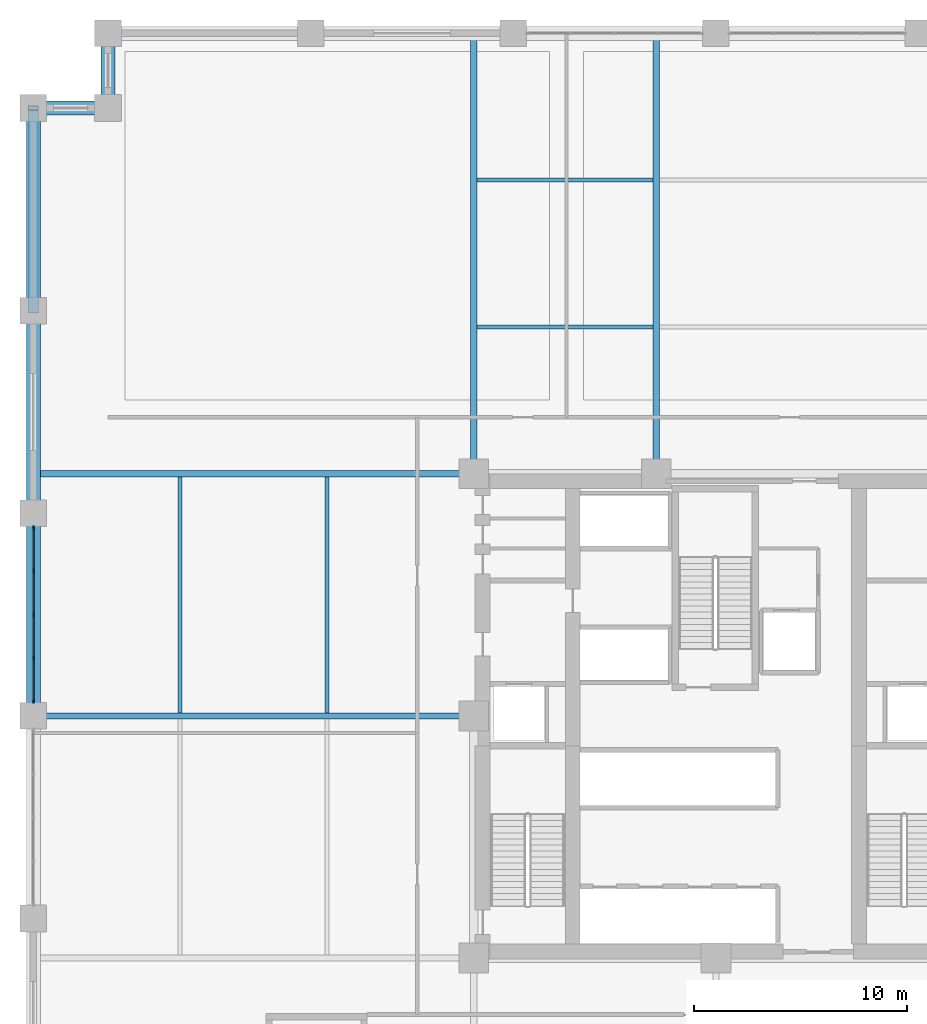
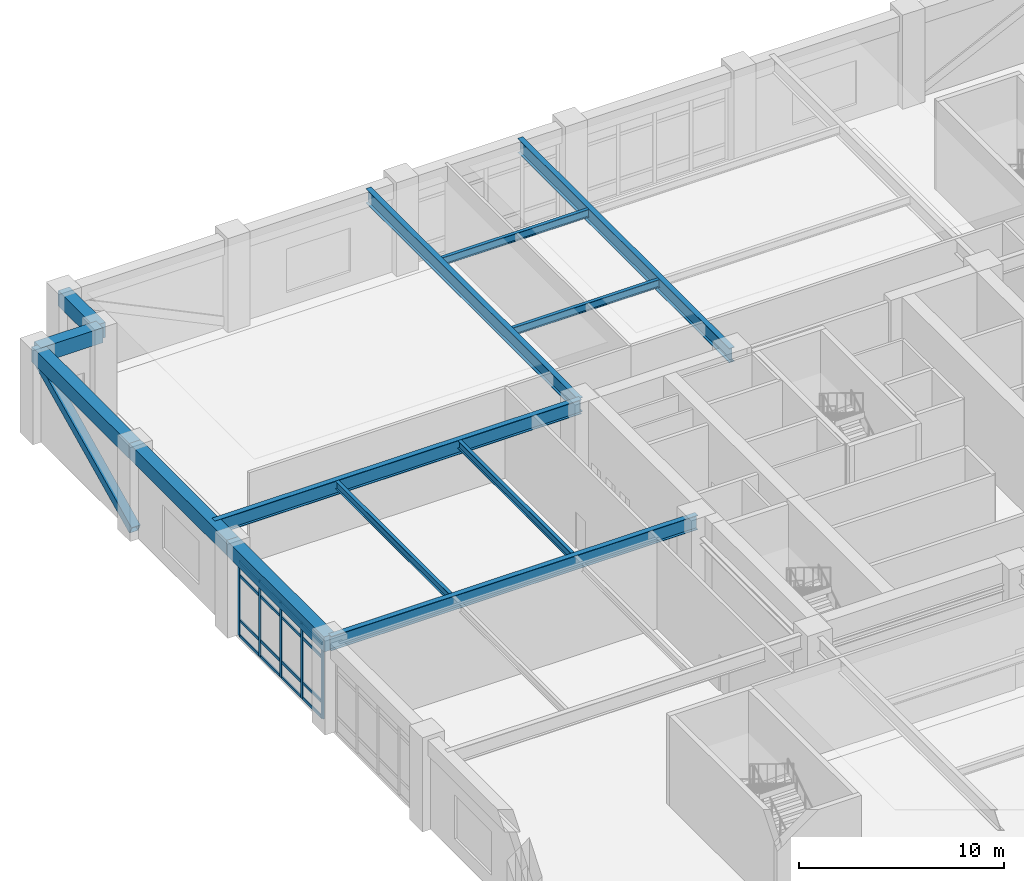
# One storey, part 6 of 21: 22 members, 13 beams, 1 element without a shape of its own.
"""IFC4 building model written with IfcOpenShell, lengths in metres."""

from ifc_helpers import new_model, si_unit, direction, frame, origin, origin_2d, place, context, subcontext, project, spatial, rectangle, hollow_rectangle, i_section, extrude, material, layer, layer_set, material_profile, profile_set, type_object, element, aggregate, save


model = new_model("IFC4")

# Units and contexts
model_context = context("Model", 3, precision=1e-05, world=origin(), true_north=direction((0.0, 1.0)))
body_context = subcontext(model_context, "Body", "Model", "MODEL_VIEW")
ifc_project = project(units=[si_unit("LENGTHUNIT", "METRE"), si_unit("AREAUNIT", "SQUARE_METRE"), si_unit("VOLUMEUNIT", "CUBIC_METRE"), si_unit("PLANEANGLEUNIT", "RADIAN"), si_unit("MASSUNIT", "GRAM", prefix="KILO")], contexts=[model_context])

# Site, building, storey
site_placement = place(None, origin())
site = spatial("IfcSite", under=ifc_project, at=site_placement, CompositionType="ELEMENT")
building_placement = place(site_placement, origin())
building = spatial("IfcBuilding", under=site, at=building_placement, Name="Nhamokura Convention Tower", CompositionType="ELEMENT")
storey_placement = place(building_placement, frame((0.0, 0.0, 12.25)))
storey = spatial("IfcBuildingStorey", under=building, at=storey_placement, Name="L02", CompositionType="ELEMENT", Elevation=12.25)

# Curtain wall, members
ifc_material_1 = material(Name="Anodised bronze aluminium AA6063-T6", Category="aluminium")
ifc_layer = layer(ifc_material_1, 0.199951171875)
ifc_layer_set = layer_set([ifc_layer], Name="CWSystem_ConventionFoyer")
curtain_wall_type = type_object("IfcCurtainWallType", Name="CWSystem_ConventionFoyer", PredefinedType="NOTDEFINED", material=ifc_layer_set)
curtain_wall_placement = place(storey_placement, origin())
curtain_wall = element("IfcCurtainWall", 1, at=curtain_wall_placement, inside=storey, type_object=curtain_wall_type, Name="L02 Curtain Wall ENV-L02-CW-W3", PredefinedType="NOTDEFINED")
ifc_material_2 = material(Name="Anodised bronze aluminium AA6063-T6", Category="aluminium")
ifc_material_profile_1 = material_profile(ifc_material_2, rectangle(XDim=0.074951171875, YDim=0.199951171875, at=origin_2d()))
ifc_profile_set_1 = profile_set([ifc_material_profile_1], Name="Anodised bronze aluminium AA6063-T6")
member_type_1 = type_object("IfcMemberType", Name="CWMullion_2", PredefinedType="MULLION", material=ifc_profile_set_1)
member_1_placement = place(storey_placement, frame((0.0, 32.6875, 0.0), z_axis=(0.0, 0.0, 1.0), x_axis=(-1.0, 0.0, 0.0)))
member_1 = element("IfcMember", 2, at=member_1_placement, type_object=member_type_1, Name="CW-02 mullion 1", PredefinedType="MULLION", context=body_context, shape_type="SweptSolid", body=[
    extrude(rectangle(XDim=0.074951171875, YDim=0.199951171875, at=origin_2d()), origin(), (0.0, 0.0, 1.0), 4.4599609375),
])
member_2_placement = place(storey_placement, frame((0.0, 34.699951171875, 0.0), z_axis=(0.0, 0.0, 1.0), x_axis=(-1.0, 0.0, 0.0)))
member_2 = element("IfcMember", 3, at=member_2_placement, type_object=member_type_1, Name="CW-02 mullion 2", PredefinedType="MULLION", context=body_context, shape_type="SweptSolid", body=[
    extrude(rectangle(XDim=0.074951171875, YDim=0.199951171875, at=origin_2d()), origin(), (0.0, 0.0, 1.0), 4.4599609375),
])
member_3_placement = place(storey_placement, frame((0.0, 36.75, 0.0), z_axis=(0.0, 0.0, 1.0), x_axis=(-1.0, 0.0, 0.0)))
member_3 = element("IfcMember", 4, at=member_3_placement, type_object=member_type_1, Name="CW-02 mullion 3", PredefinedType="MULLION", context=body_context, shape_type="SweptSolid", body=[
    extrude(rectangle(XDim=0.074951171875, YDim=0.199951171875, at=origin_2d()), origin(), (0.0, 0.0, 1.0), 4.4599609375),
])
member_4_placement = place(storey_placement, frame((0.0, 38.800048828125, 0.0), z_axis=(0.0, 0.0, 1.0), x_axis=(-1.0, 0.0, 0.0)))
member_4 = element("IfcMember", 5, at=member_4_placement, type_object=member_type_1, Name="CW-02 mullion 4", PredefinedType="MULLION", context=body_context, shape_type="SweptSolid", body=[
    extrude(rectangle(XDim=0.074951171875, YDim=0.199951171875, at=origin_2d()), origin(), (0.0, 0.0, 1.0), 4.4599609375),
])
member_5_placement = place(storey_placement, frame((0.0, 40.8125, 0.0), z_axis=(0.0, 0.0, 1.0), x_axis=(-1.0, 0.0, 0.0)))
member_5 = element("IfcMember", 6, at=member_5_placement, type_object=member_type_1, Name="CW-02 mullion 5", PredefinedType="MULLION", context=body_context, shape_type="SweptSolid", body=[
    extrude(rectangle(XDim=0.074951171875, YDim=0.199951171875, at=origin_2d()), origin(), (0.0, 0.0, 1.0), 4.4599609375),
])
ifc_material_3 = material(Name="Anodised bronze aluminium AA6063-T6", Category="aluminium")
ifc_material_profile_2 = material_profile(ifc_material_3, rectangle(XDim=0.074951171875, YDim=0.169921875, at=origin_2d()))
ifc_profile_set_2 = profile_set([ifc_material_profile_2], Name="Anodised bronze aluminium AA6063-T6")
member_type_2 = type_object("IfcMemberType", Name="CWTransom_2", PredefinedType="USERDEFINED", material=ifc_profile_set_2)
member_6_placement = place(storey_placement, frame((0.0, 32.72509765625, 0.03759765625), z_axis=(0.0, 1.0, 0.0), x_axis=(-1.0, 0.0, 0.0)))
member_6 = element("IfcMember", 7, at=member_6_placement, type_object=member_type_2, Name="CW-02 transom 1.1", ObjectType="TRANSOM", PredefinedType="USERDEFINED", context=body_context, shape_type="SweptSolid", body=[
    extrude(rectangle(XDim=0.074951171875, YDim=0.169921875, at=origin_2d()), origin(), (0.0, 0.0, 1.0), 1.9375),
])
member_7_placement = place(storey_placement, frame((0.0, 32.72509765625, 0.949951171875), z_axis=(0.0, 1.0, 0.0), x_axis=(-1.0, 0.0, 0.0)))
member_7 = element("IfcMember", 8, at=member_7_placement, type_object=member_type_2, Name="CW-02 transom 1.2", ObjectType="TRANSOM", PredefinedType="USERDEFINED", context=body_context, shape_type="SweptSolid", body=[
    extrude(rectangle(XDim=0.074951171875, YDim=0.169921875, at=origin_2d()), origin(), (0.0, 0.0, 1.0), 1.9375),
])
member_8_placement = place(storey_placement, frame((0.0, 32.72509765625, 3.610107421875), z_axis=(0.0, 1.0, 0.0), x_axis=(-1.0, 0.0, 0.0)))
member_8 = element("IfcMember", 9, at=member_8_placement, type_object=member_type_2, Name="CW-02 transom 1.3", ObjectType="TRANSOM", PredefinedType="USERDEFINED", context=body_context, shape_type="SweptSolid", body=[
    extrude(rectangle(XDim=0.074951171875, YDim=0.169921875, at=origin_2d()), origin(), (0.0, 0.0, 1.0), 1.9375),
])
member_9_placement = place(storey_placement, frame((0.0, 32.72509765625, 4.422607421875), z_axis=(0.0, 1.0, 0.0), x_axis=(-1.0, 0.0, 0.0)))
member_9 = element("IfcMember", 10, at=member_9_placement, type_object=member_type_2, Name="CW-02 transom 1.4", ObjectType="TRANSOM", PredefinedType="USERDEFINED", context=body_context, shape_type="SweptSolid", body=[
    extrude(rectangle(XDim=0.074951171875, YDim=0.169921875, at=origin_2d()), origin(), (0.0, 0.0, 1.0), 1.9375),
])
member_10_placement = place(storey_placement, frame((0.0, 34.737548828125, 0.03759765625), z_axis=(0.0, 1.0, 0.0), x_axis=(-1.0, 0.0, 0.0)))
member_10 = element("IfcMember", 11, at=member_10_placement, type_object=member_type_2, Name="CW-02 transom 2.1", ObjectType="TRANSOM", PredefinedType="USERDEFINED", context=body_context, shape_type="SweptSolid", body=[
    extrude(rectangle(XDim=0.074951171875, YDim=0.169921875, at=origin_2d()), origin(), (0.0, 0.0, 1.0), 1.974853515625),
])
member_11_placement = place(storey_placement, frame((0.0, 34.737548828125, 0.949951171875), z_axis=(0.0, 1.0, 0.0), x_axis=(-1.0, 0.0, 0.0)))
member_11 = element("IfcMember", 12, at=member_11_placement, type_object=member_type_2, Name="CW-02 transom 2.2", ObjectType="TRANSOM", PredefinedType="USERDEFINED", context=body_context, shape_type="SweptSolid", body=[
    extrude(rectangle(XDim=0.074951171875, YDim=0.169921875, at=origin_2d()), origin(), (0.0, 0.0, 1.0), 1.974853515625),
])
member_12_placement = place(storey_placement, frame((0.0, 34.737548828125, 3.610107421875), z_axis=(0.0, 1.0, 0.0), x_axis=(-1.0, 0.0, 0.0)))
member_12 = element("IfcMember", 13, at=member_12_placement, type_object=member_type_2, Name="CW-02 transom 2.3", ObjectType="TRANSOM", PredefinedType="USERDEFINED", context=body_context, shape_type="SweptSolid", body=[
    extrude(rectangle(XDim=0.074951171875, YDim=0.169921875, at=origin_2d()), origin(), (0.0, 0.0, 1.0), 1.974853515625),
])
member_13_placement = place(storey_placement, frame((0.0, 34.737548828125, 4.422607421875), z_axis=(0.0, 1.0, 0.0), x_axis=(-1.0, 0.0, 0.0)))
member_13 = element("IfcMember", 14, at=member_13_placement, type_object=member_type_2, Name="CW-02 transom 2.4", ObjectType="TRANSOM", PredefinedType="USERDEFINED", context=body_context, shape_type="SweptSolid", body=[
    extrude(rectangle(XDim=0.074951171875, YDim=0.169921875, at=origin_2d()), origin(), (0.0, 0.0, 1.0), 1.974853515625),
])
member_14_placement = place(storey_placement, frame((0.0, 36.78759765625, 0.03759765625), z_axis=(0.0, 1.0, 0.0), x_axis=(-1.0, 0.0, 0.0)))
member_14 = element("IfcMember", 15, at=member_14_placement, type_object=member_type_2, Name="CW-02 transom 3.1", ObjectType="TRANSOM", PredefinedType="USERDEFINED", context=body_context, shape_type="SweptSolid", body=[
    extrude(rectangle(XDim=0.074951171875, YDim=0.169921875, at=origin_2d()), origin(), (0.0, 0.0, 1.0), 1.974853515625),
])
member_15_placement = place(storey_placement, frame((0.0, 36.78759765625, 0.949951171875), z_axis=(0.0, 1.0, 0.0), x_axis=(-1.0, 0.0, 0.0)))
member_15 = element("IfcMember", 16, at=member_15_placement, type_object=member_type_2, Name="CW-02 transom 3.2", ObjectType="TRANSOM", PredefinedType="USERDEFINED", context=body_context, shape_type="SweptSolid", body=[
    extrude(rectangle(XDim=0.074951171875, YDim=0.169921875, at=origin_2d()), origin(), (0.0, 0.0, 1.0), 1.974853515625),
])
member_16_placement = place(storey_placement, frame((0.0, 36.78759765625, 3.610107421875), z_axis=(0.0, 1.0, 0.0), x_axis=(-1.0, 0.0, 0.0)))
member_16 = element("IfcMember", 17, at=member_16_placement, type_object=member_type_2, Name="CW-02 transom 3.3", ObjectType="TRANSOM", PredefinedType="USERDEFINED", context=body_context, shape_type="SweptSolid", body=[
    extrude(rectangle(XDim=0.074951171875, YDim=0.169921875, at=origin_2d()), origin(), (0.0, 0.0, 1.0), 1.974853515625),
])
member_17_placement = place(storey_placement, frame((0.0, 36.78759765625, 4.422607421875), z_axis=(0.0, 1.0, 0.0), x_axis=(-1.0, 0.0, 0.0)))
member_17 = element("IfcMember", 18, at=member_17_placement, type_object=member_type_2, Name="CW-02 transom 3.4", ObjectType="TRANSOM", PredefinedType="USERDEFINED", context=body_context, shape_type="SweptSolid", body=[
    extrude(rectangle(XDim=0.074951171875, YDim=0.169921875, at=origin_2d()), origin(), (0.0, 0.0, 1.0), 1.974853515625),
])
member_18_placement = place(storey_placement, frame((0.0, 38.83740234375, 0.03759765625), z_axis=(0.0, 1.0, 0.0), x_axis=(-1.0, 0.0, 0.0)))
member_18 = element("IfcMember", 19, at=member_18_placement, type_object=member_type_2, Name="CW-02 transom 4.1", ObjectType="TRANSOM", PredefinedType="USERDEFINED", context=body_context, shape_type="SweptSolid", body=[
    extrude(rectangle(XDim=0.074951171875, YDim=0.169921875, at=origin_2d()), origin(), (0.0, 0.0, 1.0), 1.9375),
])
member_19_placement = place(storey_placement, frame((0.0, 38.83740234375, 0.949951171875), z_axis=(0.0, 1.0, 0.0), x_axis=(-1.0, 0.0, 0.0)))
member_19 = element("IfcMember", 20, at=member_19_placement, type_object=member_type_2, Name="CW-02 transom 4.2", ObjectType="TRANSOM", PredefinedType="USERDEFINED", context=body_context, shape_type="SweptSolid", body=[
    extrude(rectangle(XDim=0.074951171875, YDim=0.169921875, at=origin_2d()), origin(), (0.0, 0.0, 1.0), 1.9375),
])
member_20_placement = place(storey_placement, frame((0.0, 38.83740234375, 3.610107421875), z_axis=(0.0, 1.0, 0.0), x_axis=(-1.0, 0.0, 0.0)))
member_20 = element("IfcMember", 21, at=member_20_placement, type_object=member_type_2, Name="CW-02 transom 4.3", ObjectType="TRANSOM", PredefinedType="USERDEFINED", context=body_context, shape_type="SweptSolid", body=[
    extrude(rectangle(XDim=0.074951171875, YDim=0.169921875, at=origin_2d()), origin(), (0.0, 0.0, 1.0), 1.9375),
])
member_21_placement = place(storey_placement, frame((0.0, 38.83740234375, 4.422607421875), z_axis=(0.0, 1.0, 0.0), x_axis=(-1.0, 0.0, 0.0)))
member_21 = element("IfcMember", 22, at=member_21_placement, type_object=member_type_2, Name="CW-02 transom 4.4", ObjectType="TRANSOM", PredefinedType="USERDEFINED", context=body_context, shape_type="SweptSolid", body=[
    extrude(rectangle(XDim=0.074951171875, YDim=0.169921875, at=origin_2d()), origin(), (0.0, 0.0, 1.0), 1.9375),
])
aggregate(curtain_wall, [member_1, member_2, member_3, member_4, member_5, member_6, member_7, member_8, member_9, member_10, member_11, member_12, member_13, member_14, member_15, member_16, member_17, member_18, member_19, member_20, member_21])

# Beams
ifc_material_4 = material(Name="Steel ASTM A992 Gr 50", Category="steel")
ifc_material_profile_3 = material_profile(ifc_material_4, i_section(OverallWidth=0.19189453125, OverallDepth=0.462890625, WebThickness=0.010498046875, FlangeThickness=0.017578125, at=origin_2d()))
ifc_profile_set_3 = profile_set([ifc_material_profile_3], Name="Steel ASTM A992 Gr 50")
beam_type_1 = type_object("IfcBeamType", Name="FloorJoist_W460X89", PredefinedType="JOIST", material=ifc_profile_set_3)
for number, where, z_axis, x_axis, name in (
    (23, (20.794921875, 50.2333984375, 5.12841796875), (1.0, 0.0, 0.0), (0.0, 1.0, 0.0), "L02 Composite Floor Joist N1A"),
    (24, (20.794921875, 57.11669921875, 5.12841796875), (1.0, 0.0, 0.0), (0.0, 1.0, 0.0), "L02 Composite Floor Joist N2A"),
):
    element("IfcBeam", number, at=place(storey_placement, frame(where, z_axis=z_axis, x_axis=x_axis)), inside=storey, type_object=beam_type_1, Name=name, PredefinedType="JOIST", context=body_context, shape_type="SweptSolid", body=[
        extrude(i_section(OverallWidth=0.19189453125, OverallDepth=0.462890625, WebThickness=0.010498046875, FlangeThickness=0.017578125, at=origin_2d()), origin(), (0.0, 0.0, 1.0), 8.260009765625),
    ])
for number, where, z_axis, x_axis, name in (
    (25, (6.88330078125, 32.14501953125, 5.12841796875), (0.0, 1.0, 0.0), (-1.0, 0.0, 0.0), "L02 Composite Floor Joist W1B"),
    (26, (13.7666015625, 32.14501953125, 5.12841796875), (0.0, 1.0, 0.0), (-1.0, 0.0, 0.0), "L02 Composite Floor Joist W2B"),
):
    element("IfcBeam", number, at=place(storey_placement, frame(where, z_axis=z_axis, x_axis=x_axis)), inside=storey, type_object=beam_type_1, Name=name, PredefinedType="JOIST", context=body_context, shape_type="SweptSolid", body=[
        extrude(i_section(OverallWidth=0.19189453125, OverallDepth=0.462890625, WebThickness=0.010498046875, FlangeThickness=0.017578125, at=origin_2d()), origin(), (0.0, 0.0, 1.0), 11.06005859375),
    ])
ifc_material_5 = material(Name="Steel ASTM A992 Gr 50", Category="steel")
ifc_material_profile_4 = material_profile(ifc_material_5, i_section(OverallWidth=0.2939453125, OverallDepth=0.85107421875, WebThickness=0.01611328125, FlangeThickness=0.02685546875, at=origin_2d()))
ifc_profile_set_4 = profile_set([ifc_material_profile_4], Name="Steel ASTM A992 Gr 50")
beam_type_2 = type_object("IfcBeamType", Name="HallGirder_W840X226", PredefinedType="BEAM", material=ifc_profile_set_4)
for number, where, z_axis, x_axis, name in (
    (27, (20.64990234375, 43.35009765625, 4.9345703125), (0.0, 1.0, 0.0), (-1.0, 0.0, 0.0), "L02 Primary Floor Girder PG-N1"),
    (28, (29.199951171875, 43.35009765625, 4.9345703125), (0.0, 1.0, 0.0), (-1.0, 0.0, 0.0), "L02 Primary Floor Girder PG-N2"),
    (29, (0.0, 32.0, 4.9345703125), (1.0, 0.0, 0.0), (0.0, 1.0, 0.0), "L02 Primary Floor Girder PG-W2"),
    (30, (0.0, 43.35009765625, 4.9345703125), (1.0, 0.0, 0.0), (0.0, 1.0, 0.0), "L02 Primary Floor Girder PG-W3"),
):
    element("IfcBeam", number, at=place(storey_placement, frame(where, z_axis=z_axis, x_axis=x_axis)), inside=storey, type_object=beam_type_2, Name=name, PredefinedType="BEAM", context=body_context, shape_type="SweptSolid", body=[
        extrude(i_section(OverallWidth=0.2939453125, OverallDepth=0.85107421875, WebThickness=0.01611328125, FlangeThickness=0.02685546875, at=origin_2d()), origin(), (0.0, 0.0, 1.0), 20.64990234375),
    ])

# Member
ifc_material_6 = material(Name="Steel ASTM A572 Gr 50", Category="steel")
ifc_material_profile_5 = material_profile(ifc_material_6, hollow_rectangle(XDim=0.5, YDim=0.5, WallThickness=0.02490234375, at=origin_2d()))
ifc_profile_set_5 = profile_set([ifc_material_profile_5], Name="Steel ASTM A572 Gr 50")
member_type_3 = type_object("IfcMemberType", Name="TubeBrace_HSS500", PredefinedType="BRACE", material=ifc_profile_set_5)
member_22_placement = place(storey_placement, frame((0.0, 51.0, 0.14990234375), z_axis=(0.0, 0.901520888263, 0.432735586734), x_axis=(-1.0, 0.0, 0.0)))
element("IfcMember", 31, at=member_22_placement, inside=storey, type_object=member_type_3, Name="L02 Perimeter Tube Brace WEST Bay 5", PredefinedType="BRACE", context=body_context, shape_type="SweptSolid", body=[
    extrude(hollow_rectangle(XDim=0.5, YDim=0.5, WallThickness=0.02490234375, at=origin_2d()), origin(), (0.0, 0.0, 1.0), 10.537841796875),
])

# Beams
ifc_material_7 = material(Name="Concrete C60/75", Category="concrete")
ifc_material_profile_6 = material_profile(ifc_material_7, rectangle(XDim=0.64990234375, YDim=0.89990234375, at=origin_2d()))
ifc_profile_set_6 = profile_set([ifc_material_profile_6], Name="Concrete C60/75")
beam_type_3 = type_object("IfcBeamType", Name="TubeSpandrel_900", PredefinedType="SPANDREL", material=ifc_profile_set_6)
for number, where, z_axis, x_axis, name in (
    (32, (0.0, 32.0, 4.909912109375), (0.0, 1.0, 0.0), (-1.0, 0.0, 0.0), "L02 Perimeter Spandrel WEST 4"),
    (33, (0.0, 41.5, 4.909912109375), (0.0, 1.0, 0.0), (-1.0, 0.0, 0.0), "L02 Perimeter Spandrel WEST 5"),
    (34, (0.0, 51.0, 4.909912109375), (0.0, 1.0, 0.0), (-1.0, 0.0, 0.0), "L02 Perimeter Spandrel WEST 6"),
):
    element("IfcBeam", number, at=place(storey_placement, frame(where, z_axis=z_axis, x_axis=x_axis)), inside=storey, type_object=beam_type_3, Name=name, PredefinedType="SPANDREL", context=body_context, shape_type="SweptSolid", body=[
        extrude(rectangle(XDim=0.64990234375, YDim=0.89990234375, at=origin_2d()), origin(), (0.0, 0.0, 1.0), 9.5),
    ])
for number, where, z_axis, x_axis, name in (
    (35, (3.5, 64.0, 4.909912109375), (0.0, -1.0, 0.0), (1.0, 0.0, 0.0), "L02 Notch Spandrel NW1"),
    (36, (3.5, 60.5, 4.909912109375), (-1.0, 0.0, 0.0), (0.0, -1.0, 0.0), "L02 Notch Spandrel NW2"),
):
    element("IfcBeam", number, at=place(storey_placement, frame(where, z_axis=z_axis, x_axis=x_axis)), inside=storey, type_object=beam_type_3, Name=name, PredefinedType="SPANDREL", context=body_context, shape_type="SweptSolid", body=[
        extrude(rectangle(XDim=0.64990234375, YDim=0.89990234375, at=origin_2d()), origin(), (0.0, 0.0, 1.0), 3.5),
    ])

save(model, "model.ifc")
